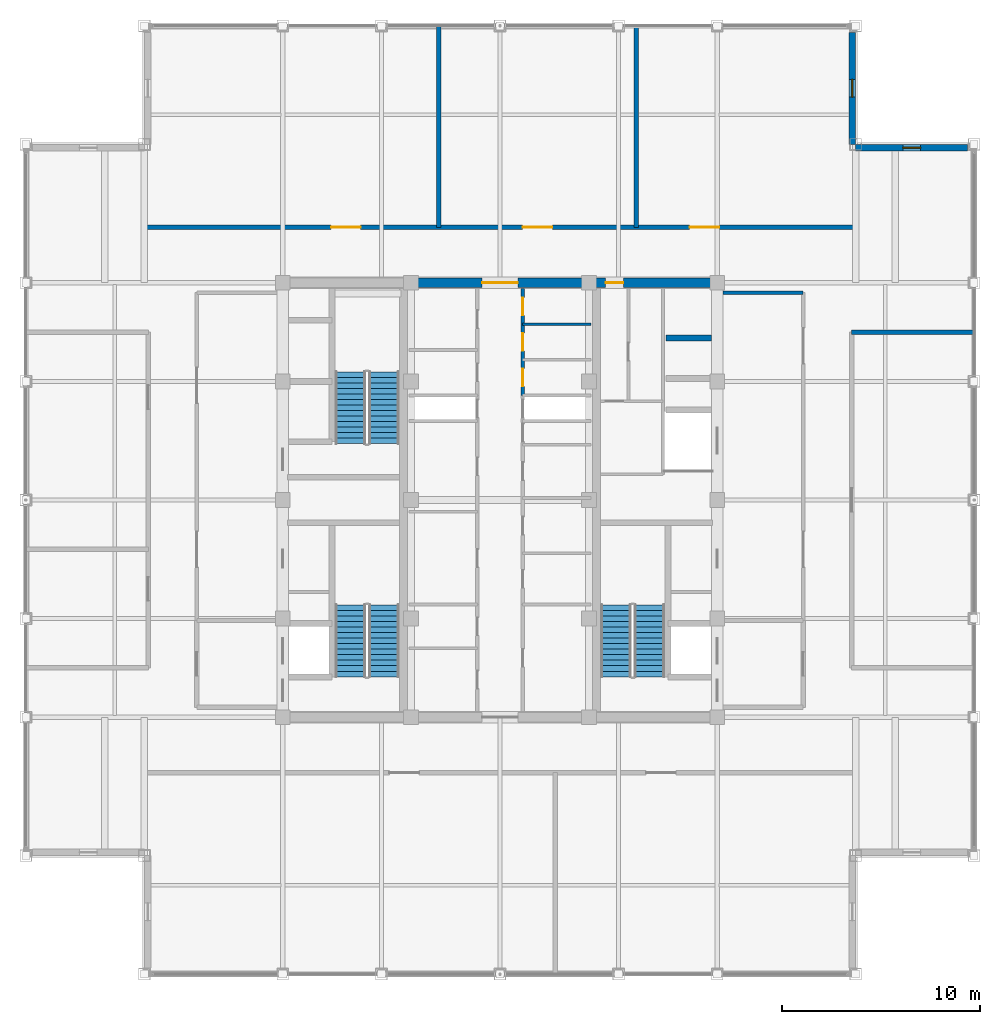
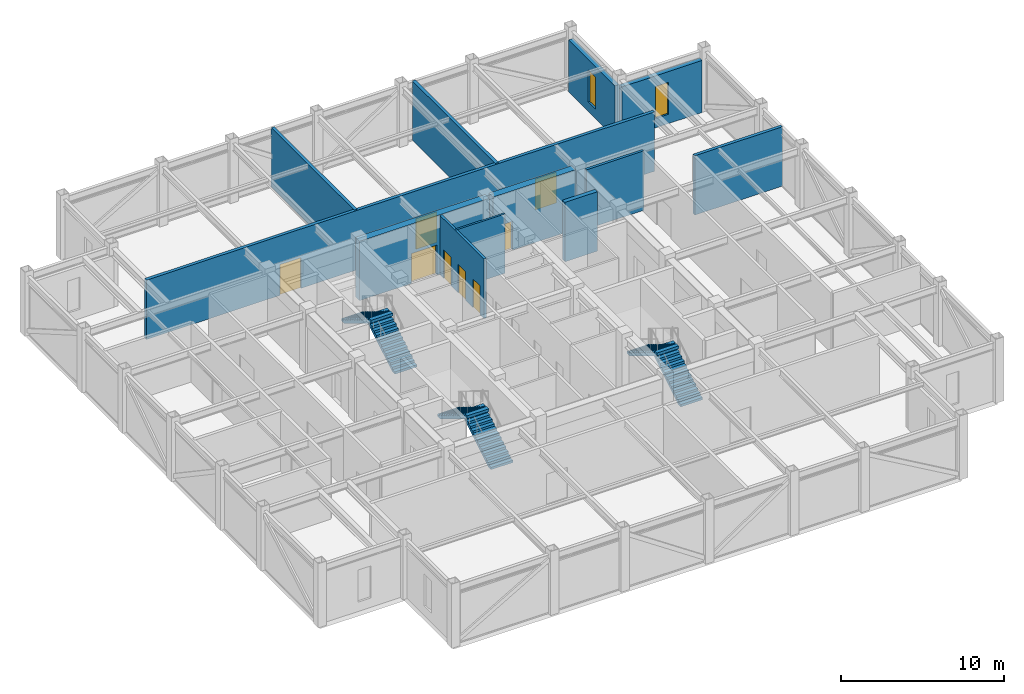
# One storey, part 26 of 27: 12 walls, 8 doors, 6 stair flights, 2 windows, 10 openings, 3 elements without a shape of their own.
"""IFC4 building model written with IfcOpenShell, lengths in metres."""

from ifc_helpers import new_model, si_unit, direction, frame, frame_2d, origin, place, context, subcontext, project, spatial, polyline, rectangle, outline, extrude, source, transform, mapped, material, layer, layer_set, type_object, element, fill, aggregate, save


model = new_model("IFC4")

# Units and contexts
model_context = context("Model", 3, precision=1e-05, world=origin(), true_north=direction((0.0, 1.0)))
body_context = subcontext(model_context, "Body", "Model", "MODEL_VIEW")
ifc_project = project(units=[si_unit("LENGTHUNIT", "METRE"), si_unit("AREAUNIT", "SQUARE_METRE"), si_unit("VOLUMEUNIT", "CUBIC_METRE"), si_unit("PLANEANGLEUNIT", "RADIAN"), si_unit("MASSUNIT", "GRAM", prefix="KILO")], contexts=[model_context])

# Site, building, storey
site_placement = place(None, origin())
site = spatial("IfcSite", under=ifc_project, at=site_placement, CompositionType="ELEMENT")
building_placement = place(site_placement, origin())
building = spatial("IfcBuilding", under=site, at=building_placement, Name="Khorayat Bourse Tower", CompositionType="ELEMENT")
storey_placement = place(building_placement, frame((0.0, 0.0, 389.89990234375)))
storey = spatial("IfcBuildingStorey", under=building, at=storey_placement, Name="L92", CompositionType="ELEMENT", Elevation=389.89990234375)

# Wall, opening, door
ifc_material_1 = material(Name="Concrete C52/65", Category="concrete")
ifc_layer_1 = layer(ifc_material_1, 0.5)
ifc_layer_set_1 = layer_set([ifc_layer_1], Name="Concrete C52/65")
wall_type_1 = type_object("IfcWallType", Name="WAL-CORE-500", PredefinedType="SHEAR", material=ifc_layer_set_1)
shared_shape_1 = source(origin(), body_context, "Body", "SweptSolid", [
    extrude(rectangle(XDim=5.89990234375, YDim=0.5, at=frame_2d((2.949951171875, 0.0))), origin(), (0.0, 0.0, 1.0), 4.4501953125),
])
wall_1_placement = place(storey_placement, frame((4.85009765625, 11.0, 0.0), z_axis=(0.0, 0.0, 1.0), x_axis=(1.0, 0.0, 0.0)))
wall_1 = element("IfcWall", 1, at=wall_1_placement, inside=storey, type_object=wall_type_1, Name="L92 Core Shear Wall PIER-EN", PredefinedType="SHEAR", context=body_context, shape_type="MappedRepresentation", body=[
    mapped(shared_shape_1, transform((0.0, 0.0, 0.0), scale=1.0)),
])
shared_shape_2 = source(origin(), body_context, "Body", "SweptSolid", [
    extrude(rectangle(XDim=0.89990234375, YDim=2.14990234375, at=frame_2d((0.449951171875, 1.074951171875))), frame((0.0, 0.260009765625, 0.0), z_axis=(0.0, -1.0, 0.0), x_axis=(1.0, 0.0, 0.0)), (0.0, 0.0, 1.0), 0.52001953125),
])
opening_1_placement = place(wall_1_placement, frame((0.5, 0.0, 0.0)))
opening_1 = element("IfcOpeningElement", 2, at=opening_1_placement, cuts=wall_1, Name="Opening DI-06", PredefinedType="OPENING", context=body_context, shape_type="MappedRepresentation", body=[
    mapped(shared_shape_2, transform((0.0, 0.0, 0.0), scale=1.0)),
])
ifc_material_2 = material(Name="Moisture-resistant laminate washroom door")
door_type_1 = type_object("IfcDoorType", Name="DR-INT-WC-900", OperationType="NOTDEFINED", PredefinedType="DOOR", material=ifc_material_2)
shared_shape_3 = source(origin(), body_context, "Body", "SweptSolid", [
    extrude(rectangle(XDim=0.89990234375, YDim=2.14990234375, at=frame_2d((0.449951171875, 1.074951171875))), frame((0.0, 0.02490234375, 0.0), z_axis=(0.0, -1.0, 0.0), x_axis=(1.0, 0.0, 0.0)), (0.0, 0.0, 1.0), 0.050048828125),
])
door_1_placement = place(opening_1_placement, origin())
door_1 = element("IfcDoor", 3, at=door_1_placement, inside=storey, type_object=door_type_1, Name="L92 Core Washroom Lobby Door", OperationType="SINGLE_SWING_LEFT", OverallHeight=2.14990234375, OverallWidth=0.89990234375, PredefinedType="DOOR", context=body_context, shape_type="MappedRepresentation", body=[
    mapped(shared_shape_3, transform((0.0, 0.0, 0.0), scale=1.0)),
])
fill(opening_1, door_1)

shared_shape_4 = source(origin(), body_context, "Body", "SweptSolid", [
    extrude(rectangle(XDim=9.2001953125, YDim=0.5, at=frame_2d((4.60009765625, 0.0))), origin(), (0.0, 0.0, 1.0), 4.4501953125),
])
wall_2_placement = place(storey_placement, frame((-4.60009765625, 11.0, 0.0), z_axis=(0.0, 0.0, 1.0), x_axis=(1.0, 0.0, 0.0)))
wall_2 = element("IfcWall", 4, at=wall_2_placement, inside=storey, type_object=wall_type_1, Name="L92 Core Shear Wall CORE-N", PredefinedType="SHEAR", context=body_context, shape_type="MappedRepresentation", body=[
    mapped(shared_shape_4, transform((0.0, 0.0, 0.0), scale=1.0)),
])
shared_shape_5 = source(origin(), body_context, "Body", "SweptSolid", [
    extrude(rectangle(XDim=1.800048828125, YDim=2.25, at=frame_2d((0.89990234375, 1.125))), frame((0.0, 0.260009765625, 0.0), z_axis=(0.0, -1.0, 0.0), x_axis=(1.0, 0.0, 0.0)), (0.0, 0.0, 1.0), 0.52001953125),
])
opening_2_placement = place(wall_2_placement, frame((3.699951171875, 0.0, 0.0)))
opening_2 = element("IfcOpeningElement", 5, at=opening_2_placement, cuts=wall_2, Name="Opening DI-03", PredefinedType="OPENING", context=body_context, shape_type="MappedRepresentation", body=[
    mapped(shared_shape_5, transform((0.0, 0.0, 0.0), scale=1.0)),
])
ifc_material_3 = material(Name="Fire-rated hardwood vision-panel double leaf", Category="wood")
door_type_2 = type_object("IfcDoorType", Name="DR-INT-CORR-1800", OperationType="NOTDEFINED", PredefinedType="DOOR", material=ifc_material_3)
shared_shape_6 = source(origin(), body_context, "Body", "SweptSolid", [
    extrude(rectangle(XDim=1.800048828125, YDim=2.25, at=frame_2d((0.89990234375, 1.125))), frame((0.0, 0.02490234375, 0.0), z_axis=(0.0, -1.0, 0.0), x_axis=(1.0, 0.0, 0.0)), (0.0, 0.0, 1.0), 0.050048828125),
])
door_2_placement = place(opening_2_placement, origin())
door_2 = element("IfcDoor", 6, at=door_2_placement, inside=storey, type_object=door_type_2, Name="L92 Central Core North Passage Door", OperationType="SINGLE_SWING_RIGHT", OverallHeight=2.25, OverallWidth=1.800048828125, PredefinedType="DOOR", context=body_context, shape_type="MappedRepresentation", body=[
    mapped(shared_shape_6, transform((0.0, 0.0, 0.0), scale=1.0)),
])
fill(opening_2, door_2)

# Wall, opening, window
ifc_material_4 = material(Name="Precast concrete C45/55", Category="concrete")
ifc_layer_2 = layer(ifc_material_4, 0.320068359375)
ifc_layer_set_2 = layer_set([ifc_layer_2], Name="Precast concrete C45/55")
wall_type_2 = type_object("IfcWallType", Name="WAL-EXT-STONE-320", PredefinedType="STANDARD", material=ifc_layer_set_2)
shared_shape_7 = source(origin(), body_context, "Body", "SweptSolid", [
    extrude(rectangle(XDim=5.679931640625, YDim=0.320068359375, at=frame_2d((2.83984375, 0.0))), origin(), (0.0, 0.0, 1.0), 3.901123046875),
])
wall_3_placement = place(storey_placement, frame((18.0, 17.840087890625, 0.0), z_axis=(0.0, 0.0, 1.0), x_axis=(1.0, 0.0, 0.0)))
wall_3 = element("IfcWall", 7, at=wall_3_placement, inside=storey, type_object=wall_type_2, Name="L92 Re-Entrant Notch Limestone Wall NE-H", PredefinedType="STANDARD", context=body_context, shape_type="MappedRepresentation", body=[
    mapped(shared_shape_7, transform((0.0, 0.0, 0.0), scale=1.0)),
])
shared_shape_8 = source(origin(), body_context, "Body", "SweptSolid", [
    extrude(rectangle(XDim=0.89990234375, YDim=2.39990234375, at=frame_2d((0.449951171875, 1.199951171875))), frame((0.0, 0.169921875, 0.0), z_axis=(0.0, -1.0, 0.0), x_axis=(1.0, 0.0, 0.0)), (0.0, 0.0, 1.0), 0.340087890625),
])
opening_3_placement = place(wall_3_placement, frame((2.389892578125, 0.0, 0.699951171875)))
opening_3 = element("IfcOpeningElement", 8, at=opening_3_placement, cuts=wall_3, Name="Opening WN-03", PredefinedType="OPENING", context=body_context, shape_type="MappedRepresentation", body=[
    mapped(shared_shape_8, transform((0.0, 0.0, 0.0), scale=1.0)),
])
ifc_material_5 = material(Name="Deep-reveal solar-control double glazing", Category="glass")
window_type = type_object("IfcWindowType", Name="WIN-SLOT-900x2400", PartitioningType="SINGLE_PANEL", PredefinedType="WINDOW", material=ifc_material_5)
shared_shape_9 = source(origin(), body_context, "Body", "SweptSolid", [
    extrude(rectangle(XDim=0.89990234375, YDim=2.39990234375, at=frame_2d((0.449951171875, 1.199951171875))), frame((0.0, 0.030029296875, 0.0), z_axis=(0.0, -1.0, 0.0), x_axis=(1.0, 0.0, 0.0)), (0.0, 0.0, 1.0), 0.06005859375),
])
window_1_placement = place(opening_3_placement, origin())
window_1 = element("IfcWindow", 9, at=window_1_placement, inside=storey, type_object=window_type, Name="L92 Facade Window 1", OverallHeight=2.39990234375, OverallWidth=0.89990234375, PartitioningType="SINGLE_PANEL", PredefinedType="WINDOW", context=body_context, shape_type="MappedRepresentation", body=[
    mapped(shared_shape_9, transform((0.0, 0.0, 0.0), scale=1.0)),
])
fill(opening_3, window_1)

wall_4_placement = place(storey_placement, frame((17.840087890625, 18.0, 0.0), z_axis=(0.0, 0.0, 1.0), x_axis=(0.0, 1.0, 0.0)))
wall_4 = element("IfcWall", 10, at=wall_4_placement, inside=storey, type_object=wall_type_2, Name="L92 Re-Entrant Notch Limestone Wall NE-V", PredefinedType="STANDARD", context=body_context, shape_type="MappedRepresentation", body=[
    mapped(shared_shape_7, transform((0.0, 0.0, 0.0), scale=1.0)),
])
opening_4_placement = place(wall_4_placement, frame((2.389892578125, 0.0, 0.699951171875)))
opening_4 = element("IfcOpeningElement", 11, at=opening_4_placement, cuts=wall_4, Name="Opening WN-03", PredefinedType="OPENING", context=body_context, shape_type="MappedRepresentation", body=[
    mapped(shared_shape_8, transform((0.0, 0.0, 0.0), scale=1.0)),
])
window_2_placement = place(opening_4_placement, origin())
window_2 = element("IfcWindow", 12, at=window_2_placement, inside=storey, type_object=window_type, Name="L92 Facade Window 1", OverallHeight=2.39990234375, OverallWidth=0.89990234375, PartitioningType="SINGLE_PANEL", PredefinedType="WINDOW", context=body_context, shape_type="MappedRepresentation", body=[
    mapped(shared_shape_9, transform((0.0, 0.0, 0.0), scale=1.0)),
])
fill(opening_4, window_2)

# Walls
ifc_material_6 = material(Name="Concrete C50/60", Category="concrete")
ifc_layer_3 = layer(ifc_material_6, 0.300048828125)
ifc_layer_set_3 = layer_set([ifc_layer_3], Name="Concrete C50/60")
wall_type_3 = type_object("IfcWallType", Name="WAL-SHAFT-300", PredefinedType="SHEAR", material=ifc_layer_set_3)
shared_shape_10 = source(origin(), body_context, "Body", "SweptSolid", [
    extrude(rectangle(XDim=2.300048828125, YDim=0.300048828125, at=frame_2d((1.14990234375, 0.0))), origin(), (0.0, 0.0, 1.0), 4.4501953125),
])
wall_5_placement = place(storey_placement, frame((8.39990234375, 8.199951171875, 0.0), z_axis=(0.0, 0.0, 1.0), x_axis=(1.0, 0.0, 0.0)))
element("IfcWall", 13, at=wall_5_placement, inside=storey, type_object=wall_type_3, Name="L92 Partition WAL-L92-EPIER-H34", PredefinedType="SHEAR", context=body_context, shape_type="MappedRepresentation", body=[
    mapped(shared_shape_10, transform((0.0, 0.0, 0.0), scale=1.0)),
])
ifc_material_7 = material(Name="Gypsum plasterboard acoustic stud wall")
ifc_layer_4 = layer(ifc_material_7, 0.179931640625)
ifc_layer_set_4 = layer_set([ifc_layer_4], Name="Gypsum plasterboard acoustic stud wall")
wall_type_4 = type_object("IfcWallType", Name="WAL-PART-CORR-180", PredefinedType="PARTITIONING", material=ifc_layer_set_4)
shared_shape_11 = source(origin(), body_context, "Body", "SweptSolid", [
    extrude(rectangle(XDim=4.050048828125, YDim=0.179931640625, at=frame_2d((2.02490234375, 0.0))), origin(), (0.0, 0.0, 1.0), 4.4501953125),
])
wall_6_placement = place(storey_placement, frame((11.300048828125, 10.5, 0.0), z_axis=(0.0, 0.0, 1.0), x_axis=(1.0, 0.0, 0.0)))
element("IfcWall", 14, at=wall_6_placement, inside=storey, type_object=wall_type_4, Name="L92 Partition WAL-L92-ELOB-N", PredefinedType="PARTITIONING", context=body_context, shape_type="MappedRepresentation", body=[
    mapped(shared_shape_11, transform((0.0, 0.0, 0.0), scale=1.0)),
])
ifc_material_8 = material(Name="Moisture-resistant masonry partition", Category="masonry")
ifc_layer_5 = layer(ifc_material_8, 0.139892578125)
ifc_layer_set_5 = layer_set([ifc_layer_5], Name="Moisture-resistant masonry partition")
wall_type_5 = type_object("IfcWallType", Name="WAL-PART-WET-140", PredefinedType="PARTITIONING", material=ifc_layer_set_5)
shared_shape_12 = source(origin(), body_context, "Body", "SweptSolid", [
    extrude(rectangle(XDim=3.4501953125, YDim=0.139892578125, at=frame_2d((1.72509765625, 0.0))), origin(), (0.0, 0.0, 1.0), 4.4501953125),
])
wall_7_placement = place(storey_placement, frame((1.14990234375, 8.89990234375, 0.0), z_axis=(0.0, 0.0, 1.0), x_axis=(1.0, 0.0, 0.0)))
element("IfcWall", 15, at=wall_7_placement, inside=storey, type_object=wall_type_5, Name="L92 Partition WAL-L92-FB2E-D2", PredefinedType="PARTITIONING", context=body_context, shape_type="MappedRepresentation", body=[
    mapped(shared_shape_12, transform((0.0, 0.0, 0.0), scale=1.0)),
])

# Wall, openings, doors
shared_shape_13 = source(origin(), body_context, "Body", "SweptSolid", [
    extrude(rectangle(XDim=5.39990234375, YDim=0.179931640625, at=frame_2d((2.699951171875, 0.0))), origin(), (0.0, 0.0, 1.0), 4.4501953125),
])
wall_8_placement = place(storey_placement, frame((1.14990234375, 5.300048828125, 0.0), z_axis=(0.0, 0.0, 1.0), x_axis=(0.0, 1.0, 0.0)))
wall_8 = element("IfcWall", 16, at=wall_8_placement, inside=storey, type_object=wall_type_4, Name="L92 Partition WAL-L92-FB2E-L", PredefinedType="PARTITIONING", context=body_context, shape_type="MappedRepresentation", body=[
    mapped(shared_shape_13, transform((0.0, 0.0, 0.0), scale=1.0)),
])
shared_shape_14 = source(origin(), body_context, "Body", "SweptSolid", [
    extrude(rectangle(XDim=0.89990234375, YDim=2.14990234375, at=frame_2d((0.449951171875, 1.074951171875))), frame((0.0, 0.099853515625, 0.0), z_axis=(0.0, -1.0, 0.0), x_axis=(1.0, 0.0, 0.0)), (0.0, 0.0, 1.0), 0.199951171875),
])
opening_5_placement = place(wall_8_placement, frame((0.449951171875, 0.0, 0.0)))
opening_5 = element("IfcOpeningElement", 17, at=opening_5_placement, cuts=wall_8, Name="Opening DI-06", PredefinedType="OPENING", context=body_context, shape_type="MappedRepresentation", body=[
    mapped(shared_shape_14, transform((0.0, 0.0, 0.0), scale=1.0)),
])
opening_6_placement = place(wall_8_placement, frame((2.25, 0.0, 0.0)))
opening_6 = element("IfcOpeningElement", 18, at=opening_6_placement, cuts=wall_8, Name="Opening DI-06", PredefinedType="OPENING", context=body_context, shape_type="MappedRepresentation", body=[
    mapped(shared_shape_14, transform((0.0, 0.0, 0.0), scale=1.0)),
])
opening_7_placement = place(wall_8_placement, frame((4.050048828125, 0.0, 0.0)))
opening_7 = element("IfcOpeningElement", 19, at=opening_7_placement, cuts=wall_8, Name="Opening DI-06", PredefinedType="OPENING", context=body_context, shape_type="MappedRepresentation", body=[
    mapped(shared_shape_14, transform((0.0, 0.0, 0.0), scale=1.0)),
])
door_3_placement = place(opening_5_placement, origin())
door_3 = element("IfcDoor", 20, at=door_3_placement, inside=storey, type_object=door_type_1, Name="L92 Linen Store Door", OperationType="SINGLE_SWING_RIGHT", OverallHeight=2.14990234375, OverallWidth=0.89990234375, PredefinedType="DOOR", context=body_context, shape_type="MappedRepresentation", body=[
    mapped(shared_shape_3, transform((0.0, 0.0, 0.0), scale=1.0)),
])
fill(opening_5, door_3)
door_4_placement = place(opening_6_placement, origin())
door_4 = element("IfcDoor", 21, at=door_4_placement, inside=storey, type_object=door_type_1, Name="L92 Sub-Meter Room Door", OperationType="SINGLE_SWING_LEFT", OverallHeight=2.14990234375, OverallWidth=0.89990234375, PredefinedType="DOOR", context=body_context, shape_type="MappedRepresentation", body=[
    mapped(shared_shape_3, transform((0.0, 0.0, 0.0), scale=1.0)),
])
fill(opening_6, door_4)
door_5_placement = place(opening_7_placement, origin())
door_5 = element("IfcDoor", 22, at=door_5_placement, inside=storey, type_object=door_type_1, Name="L92 Records Store Door", OperationType="SINGLE_SWING_RIGHT", OverallHeight=2.14990234375, OverallWidth=0.89990234375, PredefinedType="DOOR", context=body_context, shape_type="MappedRepresentation", body=[
    mapped(shared_shape_3, transform((0.0, 0.0, 0.0), scale=1.0)),
])
fill(opening_7, door_5)

# Walls
ifc_material_9 = material(Name="Aerated concrete blockwork", Category="masonry")
ifc_layer_6 = layer(ifc_material_9, 0.219970703125)
ifc_layer_set_6 = layer_set([ifc_layer_6], Name="Aerated concrete blockwork")
wall_type_6 = type_object("IfcWallType", Name="WAL-PART-FF-220", PredefinedType="PARTITIONING", material=ifc_layer_set_6)
shared_shape_15 = source(origin(), body_context, "Body", "SweptSolid", [
    extrude(rectangle(XDim=10.199951171875, YDim=0.219970703125, at=frame_2d((5.10009765625, 0.0))), origin(), (0.0, 0.0, 1.0), 4.4501953125),
])
for number, where, z_axis, x_axis, name in (
    (23, (-3.10009765625, 13.800048828125, 0.0), (0.0, 0.0, 1.0), (0.0, 1.0, 0.0), "L92 Partition WAL-L92-PLN-D1"),
    (24, (6.89990234375, 13.800048828125, 0.0), (0.0, 0.0, 1.0), (0.0, 1.0, 0.0), "L92 Partition WAL-L92-PLN-D2"),
):
    element("IfcWall", number, at=place(storey_placement, frame(where, z_axis=z_axis, x_axis=x_axis)), inside=storey, type_object=wall_type_6, Name=name, PredefinedType="PARTITIONING", context=body_context, shape_type="MappedRepresentation", body=[
        mapped(shared_shape_15, transform((0.0, 0.0, 0.0), scale=1.0)),
    ])

# Wall, openings, doors
shared_shape_16 = source(origin(), body_context, "Body", "SweptSolid", [
    extrude(rectangle(XDim=36.0, YDim=0.219970703125, at=frame_2d((18.0, 0.0))), origin(), (0.0, 0.0, 1.0), 4.4501953125),
])
wall_9_placement = place(storey_placement, frame((-18.0, 13.800048828125, 0.0), z_axis=(0.0, 0.0, 1.0), x_axis=(1.0, 0.0, 0.0)))
wall_9 = element("IfcWall", 25, at=wall_9_placement, inside=storey, type_object=wall_type_6, Name="L92 Partition WAL-L92-PLN-S", PredefinedType="PARTITIONING", context=body_context, shape_type="MappedRepresentation", body=[
    mapped(shared_shape_16, transform((0.0, 0.0, 0.0), scale=1.0)),
])
shared_shape_17 = source(origin(), body_context, "Body", "SweptSolid", [
    extrude(rectangle(XDim=1.5, YDim=2.300048828125, at=frame_2d((0.75, 1.14990234375))), frame((0.0, 0.119873046875, 0.0), z_axis=(0.0, -1.0, 0.0), x_axis=(1.0, 0.0, 0.0)), (0.0, 0.0, 1.0), 0.239990234375),
])
opening_8_placement = place(wall_9_placement, frame((9.449951171875, 0.0, 0.0)))
opening_8 = element("IfcOpeningElement", 26, at=opening_8_placement, cuts=wall_9, Name="Opening DI-07", PredefinedType="OPENING", context=body_context, shape_type="MappedRepresentation", body=[
    mapped(shared_shape_17, transform((0.0, 0.0, 0.0), scale=1.0)),
])
opening_9_placement = place(wall_9_placement, frame((19.14990234375, 0.0, 0.0)))
opening_9 = element("IfcOpeningElement", 27, at=opening_9_placement, cuts=wall_9, Name="Opening DI-07", PredefinedType="OPENING", context=body_context, shape_type="MappedRepresentation", body=[
    mapped(shared_shape_17, transform((0.0, 0.0, 0.0), scale=1.0)),
])
opening_10_placement = place(wall_9_placement, frame((27.60009765625, 0.0, 0.0)))
opening_10 = element("IfcOpeningElement", 28, at=opening_10_placement, cuts=wall_9, Name="Opening DI-07", PredefinedType="OPENING", context=body_context, shape_type="MappedRepresentation", body=[
    mapped(shared_shape_17, transform((0.0, 0.0, 0.0), scale=1.0)),
])
ifc_material_10 = material(Name="Louvred fire-rated steel plant double door", Category="steel")
door_type_3 = type_object("IfcDoorType", Name="DR-INT-PLANT-1500", OperationType="NOTDEFINED", PredefinedType="DOOR", material=ifc_material_10)
shared_shape_18 = source(origin(), body_context, "Body", "SweptSolid", [
    extrude(rectangle(XDim=1.5, YDim=2.300048828125, at=frame_2d((0.75, 1.14990234375))), frame((0.0, 0.02490234375, 0.0), z_axis=(0.0, -1.0, 0.0), x_axis=(1.0, 0.0, 0.0)), (0.0, 0.0, 1.0), 0.050048828125),
])
door_6_placement = place(opening_8_placement, origin())
door_6 = element("IfcDoor", 29, at=door_6_placement, inside=storey, type_object=door_type_3, Name="L92 AHU Plant Door", OperationType="SINGLE_SWING_LEFT", OverallHeight=2.300048828125, OverallWidth=1.5, PredefinedType="DOOR", context=body_context, shape_type="MappedRepresentation", body=[
    mapped(shared_shape_18, transform((0.0, 0.0, 0.0), scale=1.0)),
])
fill(opening_8, door_6)
door_7_placement = place(opening_9_placement, origin())
door_7 = element("IfcDoor", 30, at=door_7_placement, inside=storey, type_object=door_type_3, Name="L92 HV Switchgear Door", OperationType="SINGLE_SWING_RIGHT", OverallHeight=2.300048828125, OverallWidth=1.5, PredefinedType="DOOR", context=body_context, shape_type="MappedRepresentation", body=[
    mapped(shared_shape_18, transform((0.0, 0.0, 0.0), scale=1.0)),
])
fill(opening_9, door_7)
door_8_placement = place(opening_10_placement, origin())
door_8 = element("IfcDoor", 31, at=door_8_placement, inside=storey, type_object=door_type_3, Name="L92 BMS Plant Door", OperationType="SINGLE_SWING_LEFT", OverallHeight=2.300048828125, OverallWidth=1.5, PredefinedType="DOOR", context=body_context, shape_type="MappedRepresentation", body=[
    mapped(shared_shape_18, transform((0.0, 0.0, 0.0), scale=1.0)),
])
fill(opening_10, door_8)

# Wall
shared_shape_19 = source(origin(), body_context, "Body", "SweptSolid", [
    extrude(rectangle(XDim=6.199951171875, YDim=0.219970703125, at=frame_2d((3.10009765625, 0.0))), origin(), (0.0, 0.0, 1.0), 4.4501953125),
])
wall_10_placement = place(storey_placement, frame((17.800048828125, 8.5, 0.0), z_axis=(0.0, 0.0, 1.0), x_axis=(1.0, 0.0, 0.0)))
element("IfcWall", 32, at=wall_10_placement, inside=storey, type_object=wall_type_6, Name="L92 Partition WAL-L92-PLE-N", PredefinedType="PARTITIONING", context=body_context, shape_type="MappedRepresentation", body=[
    mapped(shared_shape_19, transform((0.0, 0.0, 0.0), scale=1.0)),
])

# Stair, stair flights
ifc_material_11 = material(Name="Concrete C40/50", Category="concrete")
stair_type = type_object("IfcStairType", Name="STR-CORE-1550", PredefinedType="HALF_TURN_STAIR", material=ifc_material_11)
stair_1_placement = place(storey_placement, origin())
stair_1 = element("IfcStair", 33, at=stair_1_placement, inside=storey, type_object=stair_type, Name="L92 Exit Stair ST-1", PredefinedType="HALF_TURN_STAIR")
stair_flight_type = type_object("IfcStairFlightType", Name="FLT-CORE-1550", PredefinedType="STRAIGHT", material=ifc_material_11)
shared_shape_20 = source(origin(), body_context, "Body", "SweptSolid", [
    extrude(outline(polyline([(0.0, 0.0), (0.0, 0.17138671875), (0.280029296875, 0.17138671875), (0.280029296875, 0.3427734375), (0.56005859375, 0.3427734375), (0.56005859375, 0.514404296875), (0.840087890625, 0.514404296875), (0.840087890625, 0.685791015625), (1.1201171875, 0.685791015625), (1.1201171875, 0.857177734375), (1.39990234375, 0.857177734375), (1.39990234375, 1.028564453125), (1.679931640625, 1.028564453125), (1.679931640625, 1.199951171875), (1.9599609375, 1.199951171875), (1.9599609375, 1.371337890625), (2.239990234375, 1.371337890625), (2.239990234375, 1.54296875), (2.52001953125, 1.54296875), (2.52001953125, 1.71435546875), (2.800048828125, 1.71435546875), (2.800048828125, 1.8857421875), (3.080078125, 1.8857421875), (3.080078125, 2.05712890625), (3.360107421875, 2.05712890625), (3.360107421875, 2.228515625), (3.639892578125, 2.228515625), (3.639892578125, 2.39990234375), (3.639892578125, 2.017578125), (0.344482421875, 0.0), (0.0, 0.0)])), frame((0.0, 0.77490234375, 0.0), z_axis=(0.0, -1.0, 0.0), x_axis=(1.0, 0.0, 0.0)), (0.0, 0.0, 1.0), 1.550048828125),
])
stair_flight_1_placement = place(storey_placement, frame((-5.875, -8.949951171875, 0.0), z_axis=(0.0, 0.0, 1.0), x_axis=(0.0, 1.0, 0.0)))
stair_flight_1 = element("IfcStairFlight", 34, at=stair_flight_1_placement, type_object=stair_flight_type, Name="ST-1 flight 1", NumberOfRisers=14, NumberOfTreads=13, PredefinedType="STRAIGHT", RiserHeight=0.171428571, TreadLength=0.28, context=body_context, shape_type="MappedRepresentation", body=[
    mapped(shared_shape_20, transform((0.0, 0.0, 0.0), scale=1.0)),
])
stair_flight_2_placement = place(storey_placement, frame((-7.574951171875, -5.31005859375, 2.400146484375), z_axis=(0.0, 0.0, 1.0), x_axis=(0.0, -1.0, 0.0)))
stair_flight_2 = element("IfcStairFlight", 35, at=stair_flight_2_placement, type_object=stair_flight_type, Name="ST-1 flight 2", NumberOfRisers=14, NumberOfTreads=13, PredefinedType="STRAIGHT", RiserHeight=0.171428571, TreadLength=0.28, context=body_context, shape_type="MappedRepresentation", body=[
    mapped(shared_shape_20, transform((0.0, 0.0, 0.0), scale=1.0)),
])
aggregate(stair_1, [stair_flight_1, stair_flight_2])

stair_2_placement = place(storey_placement, origin())
stair_2 = element("IfcStair", 36, at=stair_2_placement, inside=storey, type_object=stair_type, Name="L92 Exit Stair ST-2", PredefinedType="HALF_TURN_STAIR")
stair_flight_3_placement = place(storey_placement, frame((-5.875, 2.85009765625, 0.0), z_axis=(0.0, 0.0, 1.0), x_axis=(0.0, 1.0, 0.0)))
stair_flight_3 = element("IfcStairFlight", 37, at=stair_flight_3_placement, type_object=stair_flight_type, Name="ST-2 flight 1", NumberOfRisers=14, NumberOfTreads=13, PredefinedType="STRAIGHT", RiserHeight=0.171428571, TreadLength=0.28, context=body_context, shape_type="MappedRepresentation", body=[
    mapped(shared_shape_20, transform((0.0, 0.0, 0.0), scale=1.0)),
])
stair_flight_4_placement = place(storey_placement, frame((-7.574951171875, 6.489990234375, 2.400146484375), z_axis=(0.0, 0.0, 1.0), x_axis=(0.0, -1.0, 0.0)))
stair_flight_4 = element("IfcStairFlight", 38, at=stair_flight_4_placement, type_object=stair_flight_type, Name="ST-2 flight 2", NumberOfRisers=14, NumberOfTreads=13, PredefinedType="STRAIGHT", RiserHeight=0.171428571, TreadLength=0.28, context=body_context, shape_type="MappedRepresentation", body=[
    mapped(shared_shape_20, transform((0.0, 0.0, 0.0), scale=1.0)),
])
aggregate(stair_2, [stair_flight_3, stair_flight_4])

stair_3_placement = place(storey_placement, origin())
stair_3 = element("IfcStair", 39, at=stair_3_placement, inside=storey, type_object=stair_type, Name="L92 Exit Stair ST-3", PredefinedType="HALF_TURN_STAIR")
stair_flight_5_placement = place(storey_placement, frame((7.574951171875, -8.949951171875, 0.0), z_axis=(0.0, 0.0, 1.0), x_axis=(0.0, 1.0, 0.0)))
stair_flight_5 = element("IfcStairFlight", 40, at=stair_flight_5_placement, type_object=stair_flight_type, Name="ST-3 flight 1", NumberOfRisers=14, NumberOfTreads=13, PredefinedType="STRAIGHT", RiserHeight=0.171428571, TreadLength=0.28, context=body_context, shape_type="MappedRepresentation", body=[
    mapped(shared_shape_20, transform((0.0, 0.0, 0.0), scale=1.0)),
])
stair_flight_6_placement = place(storey_placement, frame((5.875, -5.31005859375, 2.400146484375), z_axis=(0.0, 0.0, 1.0), x_axis=(0.0, -1.0, 0.0)))
stair_flight_6 = element("IfcStairFlight", 41, at=stair_flight_6_placement, type_object=stair_flight_type, Name="ST-3 flight 2", NumberOfRisers=14, NumberOfTreads=13, PredefinedType="STRAIGHT", RiserHeight=0.171428571, TreadLength=0.28, context=body_context, shape_type="MappedRepresentation", body=[
    mapped(shared_shape_20, transform((0.0, 0.0, 0.0), scale=1.0)),
])
aggregate(stair_3, [stair_flight_5, stair_flight_6])

save(model, "model.ifc")
